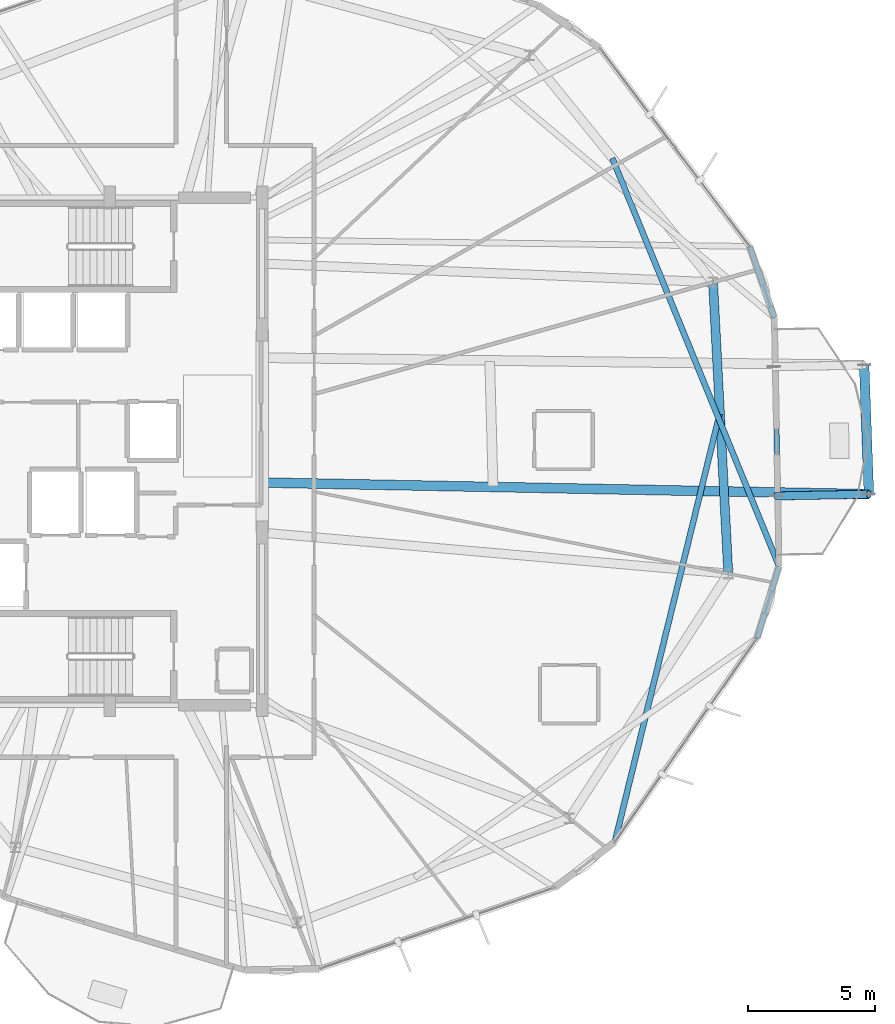
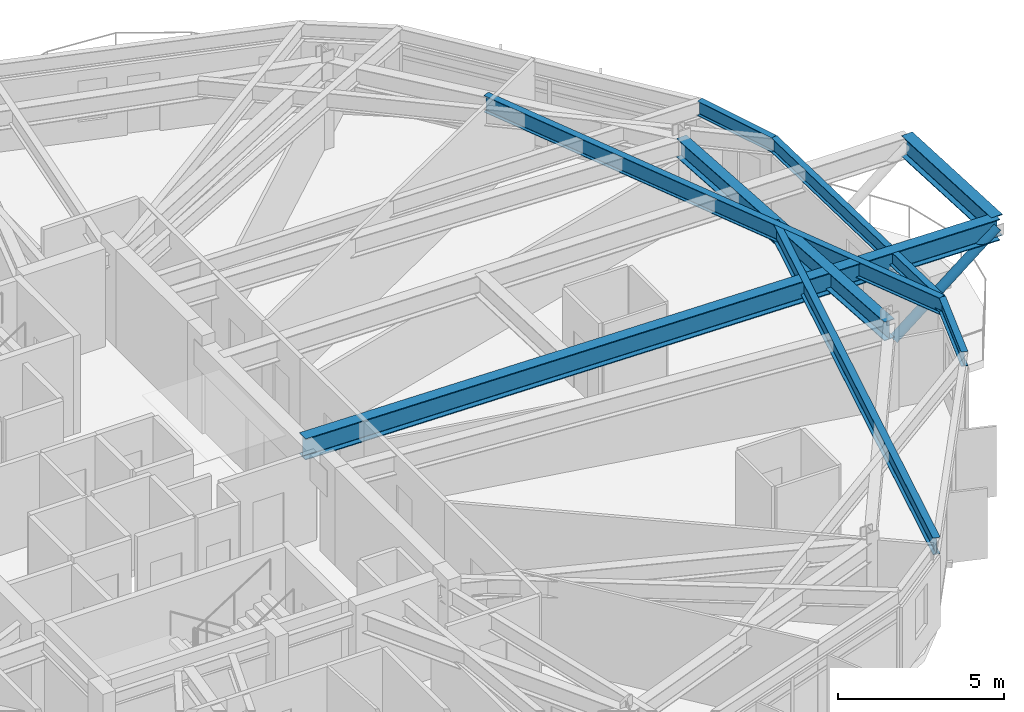
# One storey, part 17 of 34: 8 beams, 1 member.
"""IFC4 building model written with IfcOpenShell, lengths in metres."""

from ifc_helpers import new_model, si_unit, direction, frame, origin, origin_2d, place, context, subcontext, project, spatial, hollow_circle, i_section, extrude, material, material_profile, profile_set, type_object, element, save


model = new_model("IFC4")

# Units and contexts
model_context = context("Model", 3, precision=1e-05, world=origin(), true_north=direction((0.0, 1.0)))
body_context = subcontext(model_context, "Body", "Model", "MODEL_VIEW")
ifc_project = project(units=[si_unit("LENGTHUNIT", "METRE"), si_unit("AREAUNIT", "SQUARE_METRE"), si_unit("VOLUMEUNIT", "CUBIC_METRE"), si_unit("PLANEANGLEUNIT", "RADIAN"), si_unit("MASSUNIT", "GRAM", prefix="KILO")], contexts=[model_context])

# Site, building, storey
site_placement = place(None, origin())
site = spatial("IfcSite", under=ifc_project, at=site_placement, CompositionType="ELEMENT")
building_placement = place(site_placement, origin())
building = spatial("IfcBuilding", under=site, at=building_placement, Name="Soratama Intermodal Tower", CompositionType="ELEMENT")
storey_placement = place(building_placement, frame((0.0, 0.0, 233.800048828125)))
storey = spatial("IfcBuildingStorey", under=building, at=storey_placement, Name="L59", CompositionType="ELEMENT", Elevation=233.800048828125)

# Beams
ifc_material_1 = material(Name="Structural steel ASTM A992 Grade 50", Category="steel")
ifc_material_profile_1 = material_profile(ifc_material_1, i_section(OverallWidth=0.382080078125, OverallDepth=0.779052734375, WebThickness=0.01806640625, FlangeThickness=0.030029296875, FilletRadius=0.01806640625, at=origin_2d()), Name="W30X191")
ifc_profile_set_1 = profile_set([ifc_material_profile_1], Name="Structural steel ASTM A992 Grade 50")
beam_type_1 = type_object("IfcBeamType", Name="BM-POOL-EXT-W30", PredefinedType="BEAM", material=ifc_profile_set_1)
beam_1_placement = place(storey_placement, frame((68.5048828125, 23.31298828125, 2.83056640625), z_axis=(-0.036660708017, 0.999327770297, 0.0), x_axis=(-0.999327770297, -0.036660708017, 0.0)))
element("IfcBeam", 1, at=beam_1_placement, inside=storey, type_object=beam_type_1, Name="BM-L59-POOL-EDGE", PredefinedType="BEAM", context=body_context, shape_type="SweptSolid", body=[
    extrude(i_section(OverallWidth=0.382080078125, OverallDepth=0.779052734375, WebThickness=0.01806640625, FlangeThickness=0.030029296875, FilletRadius=0.01806640625, at=origin_2d()), origin(), (0.0, 0.0, 1.0), 5.094482421875),
])
beam_2_placement = place(storey_placement, frame((44.639892578125, 23.77294921875, 2.83056640625), z_axis=(0.999814318597, -0.019269881395, 0.0), x_axis=(0.019269881395, 0.999814318597, 0.0)))
element("IfcBeam", 2, at=beam_2_placement, inside=storey, type_object=beam_type_1, Name="BM-L59-POOL-CT1", PredefinedType="BEAM", context=body_context, shape_type="SweptSolid", body=[
    extrude(i_section(OverallWidth=0.382080078125, OverallDepth=0.779052734375, WebThickness=0.01806640625, FlangeThickness=0.030029296875, FilletRadius=0.01806640625, at=origin_2d()), origin(), (0.0, 0.0, 1.0), 23.869384765625),
])
ifc_material_2 = material(Name="Structural steel ASTM A992 Grade 50", Category="steel")
ifc_material_profile_2 = material_profile(ifc_material_2, i_section(OverallWidth=0.35498046875, OverallDepth=0.695068359375, WebThickness=0.015380859375, FlangeThickness=0.02490234375, FilletRadius=0.01611328125, at=origin_2d()), Name="W27X146")
ifc_profile_set_2 = profile_set([ifc_material_profile_2], Name="Structural steel ASTM A992 Grade 50")
beam_type_2 = type_object("IfcBeamType", Name="BM-RING-W27X146", PredefinedType="BEAM", material=ifc_profile_set_2)
beam_3_placement = place(storey_placement, frame((62.966064453125, 20.18603515625, 2.87255859375), z_axis=(-0.052286849724, 0.998632107108, 0.0), x_axis=(-0.998632107108, -0.052286849724, 0.0)))
element("IfcBeam", 3, at=beam_3_placement, inside=storey, type_object=beam_type_2, Name="BM-L59-RING-10", PredefinedType="BEAM", context=body_context, shape_type="SweptSolid", body=[
    extrude(i_section(OverallWidth=0.35498046875, OverallDepth=0.695068359375, WebThickness=0.015380859375, FlangeThickness=0.02490234375, FilletRadius=0.01611328125, at=origin_2d()), origin(), (0.0, 0.0, 1.0), 11.49560546875),
])
ifc_material_3 = material(Name="Structural steel ASTM A992 Grade 50", Category="steel")
ifc_material_profile_3 = material_profile(ifc_material_3, i_section(OverallWidth=0.2099609375, OverallDepth=0.537109375, WebThickness=0.010986328125, FlangeThickness=0.017333984375, FilletRadius=0.012939453125, at=origin_2d()), Name="W21X68")
ifc_profile_set_3 = profile_set([ifc_material_profile_3], Name="Structural steel ASTM A992 Grade 50")
beam_type_3 = type_object("IfcBeamType", Name="BM-SPN-W21X68", PredefinedType="SPANDREL", material=ifc_profile_set_3)
beam_4_placement = place(storey_placement, frame((64.10302734375, 17.638916015625, 2.951416015625), z_axis=(0.290932362011, 0.956743623305, 0.0), x_axis=(-0.956743623305, 0.290932362011, 0.0)))
element("IfcBeam", 4, at=beam_4_placement, inside=storey, type_object=beam_type_3, Name="BS-L59-CRN08", PredefinedType="SPANDREL", context=body_context, shape_type="SweptSolid", body=[
    extrude(i_section(OverallWidth=0.2099609375, OverallDepth=0.537109375, WebThickness=0.010986328125, FlangeThickness=0.017333984375, FilletRadius=0.012939453125, at=origin_2d()), origin(), (0.0, 0.0, 1.0), 2.966552734375),
])
beam_5_placement = place(storey_placement, frame((64.966064453125, 20.47705078125, 2.951416015625), z_axis=(-0.018888066401, 0.999821604561, 0.0), x_axis=(-0.999821604561, -0.018888066401, 0.0)))
element("IfcBeam", 5, at=beam_5_placement, inside=storey, type_object=beam_type_3, Name="BS-L59-F09", PredefinedType="SPANDREL", context=body_context, shape_type="SweptSolid", body=[
    extrude(i_section(OverallWidth=0.2099609375, OverallDepth=0.537109375, WebThickness=0.010986328125, FlangeThickness=0.017333984375, FilletRadius=0.012939453125, at=origin_2d()), origin(), (0.0, 0.0, 1.0), 9.797607421875),
])
beam_6_placement = place(storey_placement, frame((64.781005859375, 30.27294921875, 2.951416015625), z_axis=(-0.326728841198, 0.945118121892, 0.0), x_axis=(-0.945118121892, -0.326728841198, 0.0)))
element("IfcBeam", 6, at=beam_6_placement, inside=storey, type_object=beam_type_3, Name="BS-L59-CRN09", PredefinedType="SPANDREL", context=body_context, shape_type="SweptSolid", body=[
    extrude(i_section(OverallWidth=0.2099609375, OverallDepth=0.537109375, WebThickness=0.010986328125, FlangeThickness=0.017333984375, FilletRadius=0.012939453125, at=origin_2d()), origin(), (0.0, 0.0, 1.0), 2.9658203125),
])
ifc_material_4 = material(Name="Structural steel ASTM A992 Grade 50", Category="steel")
ifc_material_profile_4 = material_profile(ifc_material_4, i_section(OverallWidth=0.22900390625, OverallDepth=0.612060546875, WebThickness=0.011962890625, FlangeThickness=0.01953125, FilletRadius=0.012939453125, at=origin_2d()), Name="W24X84")
ifc_profile_set_4 = profile_set([ifc_material_profile_4], Name="Structural steel ASTM A992 Grade 50")
beam_type_4 = type_object("IfcBeamType", Name="BM-TIE-W24X84", PredefinedType="BEAM", material=ifc_profile_set_4)
beam_7_placement = place(storey_placement, frame((62.625, 26.468994140625, 2.9140625), z_axis=(-0.237930725553, -0.971282126798, 0.0), x_axis=(0.971282126798, -0.237930725553, 0.0)))
element("IfcBeam", 7, at=beam_7_placement, inside=storey, type_object=beam_type_4, Name="BM-L59-TIE0-08", PredefinedType="BEAM", context=body_context, shape_type="SweptSolid", body=[
    extrude(i_section(OverallWidth=0.22900390625, OverallDepth=0.612060546875, WebThickness=0.011962890625, FlangeThickness=0.01953125, FilletRadius=0.012939453125, at=origin_2d()), origin(), (0.0, 0.0, 1.0), 17.362548828125),
])
beam_8_placement = place(storey_placement, frame((58.39599609375, 36.549072265625, 2.9140625), z_axis=(0.378393573352, -0.925644804256, 0.0), x_axis=(0.925644804256, 0.378393573352, 0.0)))
element("IfcBeam", 8, at=beam_8_placement, inside=storey, type_object=beam_type_4, Name="BM-L59-TIE0-09", PredefinedType="BEAM", context=body_context, shape_type="SweptSolid", body=[
    extrude(i_section(OverallWidth=0.22900390625, OverallDepth=0.612060546875, WebThickness=0.011962890625, FlangeThickness=0.01953125, FilletRadius=0.012939453125, at=origin_2d()), origin(), (0.0, 0.0, 1.0), 17.363037109375),
])

# Member
ifc_material_5 = material(Name="Structural steel ASTM A500 Grade C", Category="steel")
ifc_material_profile_5 = material_profile(ifc_material_5, hollow_circle(Radius=0.161865234375, WallThickness=0.013916015625, at=origin_2d()), Name="CHS324X14")
ifc_profile_set_5 = profile_set([ifc_material_profile_5], Name="Structural steel ASTM A500 Grade C")
member_type = type_object("IfcMemberType", Name="MB-POOL-CHS324", PredefinedType="BRACE", material=ifc_profile_set_5)
member_placement = place(storey_placement, frame((64.86376953125, 23.243408203125, 0.010009765625), z_axis=(0.790442892057, 0.015053026309, 0.612350749812), x_axis=(-0.019040334973, 0.99981871639, 0.0)))
element("IfcMember", 9, at=member_placement, inside=storey, type_object=member_type, Name="L59 Sky Pool Strut 1", PredefinedType="BRACE", context=body_context, shape_type="SweptSolid", body=[
    extrude(hollow_circle(Radius=0.161865234375, WallThickness=0.013916015625, at=origin_2d()), origin(), (0.0, 0.0, 1.0), 4.606201171875),
])

save(model, "model.ifc")
